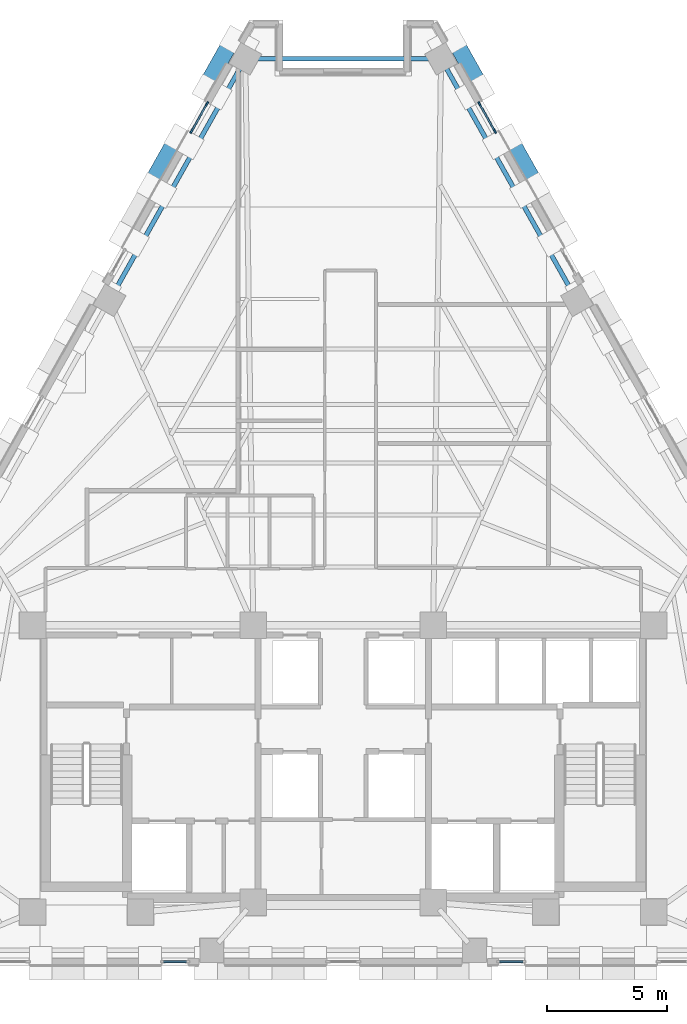
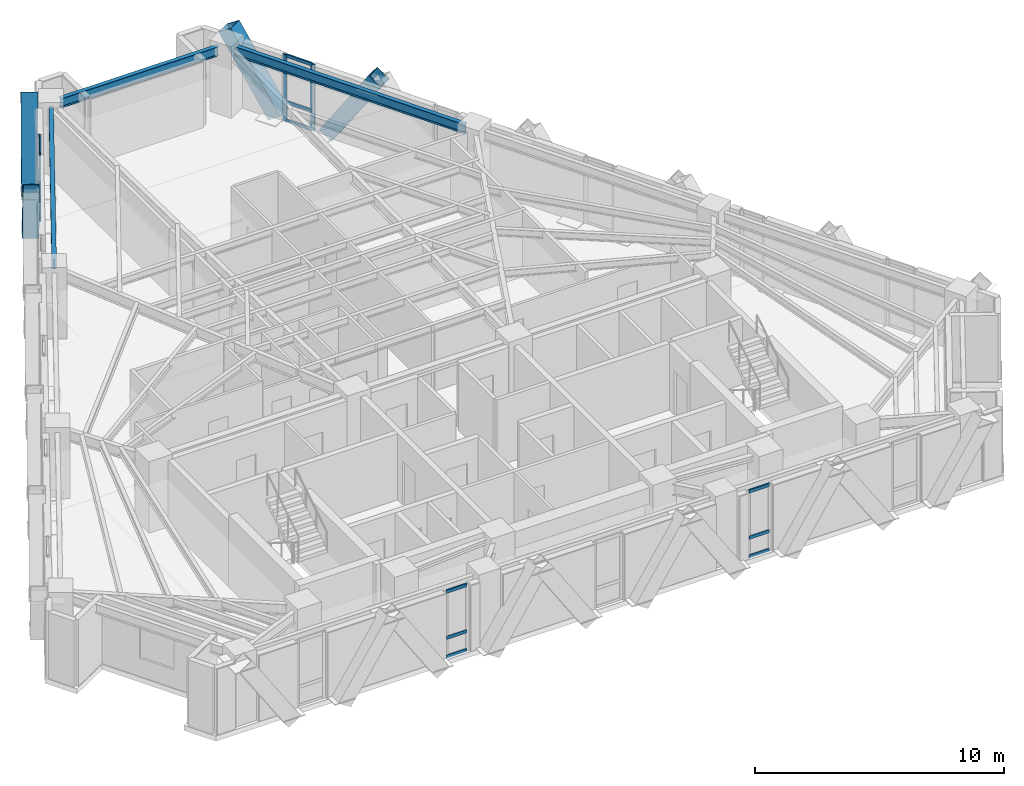
# One storey, part 5 of 13: 20 members, 3 beams, 4 elements without a shape of their own.
"""IFC4 building model written with IfcOpenShell, lengths in metres."""

from ifc_helpers import new_model, si_unit, direction, frame, origin, origin_2d, place, context, subcontext, project, spatial, rectangle, hollow_rectangle, i_section, extrude, material, material_profile, profile_set, type_object, element, aggregate, save


model = new_model("IFC4")

# Units and contexts
model_context = context("Model", 3, precision=1e-05, world=origin(), true_north=direction((0.0, 1.0)))
body_context = subcontext(model_context, "Body", "Model", "MODEL_VIEW")
ifc_project = project(units=[si_unit("LENGTHUNIT", "METRE"), si_unit("AREAUNIT", "SQUARE_METRE"), si_unit("VOLUMEUNIT", "CUBIC_METRE"), si_unit("PLANEANGLEUNIT", "RADIAN"), si_unit("MASSUNIT", "GRAM", prefix="KILO")], contexts=[model_context])

# Site, building, storey
site_placement = place(None, origin())
site = spatial("IfcSite", under=ifc_project, at=site_placement, CompositionType="ELEMENT")
building_placement = place(site_placement, origin())
building = spatial("IfcBuilding", under=site, at=building_placement, Name="Quenlor Broadcast Tower", CompositionType="ELEMENT")
storey_placement = place(building_placement, frame((0.0, 0.0, 147.5)))
storey = spatial("IfcBuildingStorey", under=building, at=storey_placement, Name="L40", CompositionType="ELEMENT", Elevation=147.5)

# Curtain wall, members
ifc_material_1 = material(Name="Architectural Terracotta and Low-E Glazing", Category="masonry")
curtain_wall_type = type_object("IfcCurtainWallType", Name="Unitised Terracotta Curtain Wall System Z3", PredefinedType="NOTDEFINED", material=ifc_material_1)
curtain_wall_1_placement = place(storey_placement, origin())
curtain_wall_1 = element("IfcCurtainWall", 1, at=curtain_wall_1_placement, inside=storey, type_object=curtain_wall_type, Name="L40 Curtain Wall CW3 (L40-NEA-G1)", PredefinedType="NOTDEFINED")
ifc_material_2 = material(Name="Aluminium 6063-T6", Category="aluminium")
ifc_material_profile_1 = material_profile(ifc_material_2, rectangle(XDim=0.070068359375, YDim=0.18994140625, at=origin_2d()))
ifc_profile_set_1 = profile_set([ifc_material_profile_1], Name="Aluminium 6063-T6 MULL70x190")
member_type_1 = type_object("IfcMemberType", Name="CW3 Aluminium Mullion MULL_CW3", PredefinedType="MULLION", material=ifc_profile_set_1)
member_1_placement = place(storey_placement, frame((5.677978515625, 16.94921875, 0.0), z_axis=(0.0, 0.0, 1.0), x_axis=(0.871592831439, 0.490230492916, 0.0)))
member_1 = element("IfcMember", 2, at=member_1_placement, type_object=member_type_1, Name="CW3 mullion 1", PredefinedType="MULLION", context=body_context, shape_type="SweptSolid", body=[
    extrude(rectangle(XDim=0.070068359375, YDim=0.18994140625, at=origin_2d()), origin(), (0.0, 0.0, 1.0), 3.25),
])
member_2_placement = place(storey_placement, frame((6.324951171875, 15.798828125, 0.0), z_axis=(0.0, 0.0, 1.0), x_axis=(0.871592831439, 0.490230492916, 0.0)))
member_2 = element("IfcMember", 3, at=member_2_placement, type_object=member_type_1, Name="CW3 mullion 2", PredefinedType="MULLION", context=body_context, shape_type="SweptSolid", body=[
    extrude(rectangle(XDim=0.070068359375, YDim=0.18994140625, at=origin_2d()), origin(), (0.0, 0.0, 1.0), 3.25),
])

curtain_wall_2_placement = place(storey_placement, origin())
curtain_wall_2 = element("IfcCurtainWall", 4, at=curtain_wall_2_placement, inside=storey, type_object=curtain_wall_type, Name="L40 Curtain Wall CW3 (L40-NWC-G2)", PredefinedType="NOTDEFINED")
member_3_placement = place(storey_placement, frame((-6.324951171875, 15.798828125, 0.0), z_axis=(0.0, 0.0, 1.0), x_axis=(-0.871592831439, 0.490230492916, 0.0)))
member_3 = element("IfcMember", 5, at=member_3_placement, type_object=member_type_1, Name="CW3 mullion 1", PredefinedType="MULLION", context=body_context, shape_type="SweptSolid", body=[
    extrude(rectangle(XDim=0.070068359375, YDim=0.18994140625, at=origin_2d()), origin(), (0.0, 0.0, 1.0), 3.25),
])
member_4_placement = place(storey_placement, frame((-5.677978515625, 16.94921875, 0.0), z_axis=(0.0, 0.0, 1.0), x_axis=(-0.871592831439, 0.490230492916, 0.0)))
member_4 = element("IfcMember", 6, at=member_4_placement, type_object=member_type_1, Name="CW3 mullion 2", PredefinedType="MULLION", context=body_context, shape_type="SweptSolid", body=[
    extrude(rectangle(XDim=0.070068359375, YDim=0.18994140625, at=origin_2d()), origin(), (0.0, 0.0, 1.0), 3.25),
])

curtain_wall_3_placement = place(storey_placement, origin())
curtain_wall_3 = element("IfcCurtainWall", 7, at=curtain_wall_3_placement, inside=storey, type_object=curtain_wall_type, Name="L40 Curtain Wall CW3 (L40-SA-G2)", PredefinedType="NOTDEFINED")
ifc_material_3 = material(Name="Aluminium 6063-T6", Category="aluminium")
ifc_material_profile_2 = material_profile(ifc_material_3, rectangle(XDim=0.070068359375, YDim=0.155029296875, at=origin_2d()))
ifc_profile_set_2 = profile_set([ifc_material_profile_2], Name="Aluminium 6063-T6 TRAN70x155")
member_type_2 = type_object("IfcMemberType", Name="CW3 Aluminium Transom TRAN_CW3", PredefinedType="USERDEFINED", material=ifc_profile_set_2)
member_5_placement = place(storey_placement, frame((7.487060546875, -18.824951171875, 0.034912109375), z_axis=(-1.0, 0.0, 0.0), x_axis=(0.0, -1.0, 0.0)))
member_5 = element("IfcMember", 8, at=member_5_placement, type_object=member_type_2, Name="CW3 transom 1.1", ObjectType="TRANSOM", PredefinedType="USERDEFINED", context=body_context, shape_type="SweptSolid", body=[
    extrude(rectangle(XDim=0.070068359375, YDim=0.155029296875, at=origin_2d()), origin(), (0.0, 0.0, 1.0), 0.951171875),
])
member_6_placement = place(storey_placement, frame((7.487060546875, -18.824951171875, 0.949951171875), z_axis=(-1.0, 0.0, 0.0), x_axis=(0.0, -1.0, 0.0)))
member_6 = element("IfcMember", 9, at=member_6_placement, type_object=member_type_2, Name="CW3 transom 1.2", ObjectType="TRANSOM", PredefinedType="USERDEFINED", context=body_context, shape_type="SweptSolid", body=[
    extrude(rectangle(XDim=0.070068359375, YDim=0.155029296875, at=origin_2d()), origin(), (0.0, 0.0, 1.0), 0.951171875),
])
member_7_placement = place(storey_placement, frame((7.487060546875, -18.824951171875, 3.215087890625), z_axis=(-1.0, 0.0, 0.0), x_axis=(0.0, -1.0, 0.0)))
member_7 = element("IfcMember", 10, at=member_7_placement, type_object=member_type_2, Name="CW3 transom 1.3", ObjectType="TRANSOM", PredefinedType="USERDEFINED", context=body_context, shape_type="SweptSolid", body=[
    extrude(rectangle(XDim=0.070068359375, YDim=0.155029296875, at=origin_2d()), origin(), (0.0, 0.0, 1.0), 0.951171875),
])
aggregate(curtain_wall_3, [member_5, member_6, member_7])

curtain_wall_4_placement = place(storey_placement, origin())
curtain_wall_4 = element("IfcCurtainWall", 11, at=curtain_wall_4_placement, inside=storey, type_object=curtain_wall_type, Name="L40 Curtain Wall CW3 (L40-SC-G1)", PredefinedType="NOTDEFINED")
member_8_placement = place(storey_placement, frame((-6.535888671875, -18.824951171875, 0.034912109375), z_axis=(-1.0, 0.0, 0.0), x_axis=(0.0, -1.0, 0.0)))
member_8 = element("IfcMember", 12, at=member_8_placement, type_object=member_type_2, Name="CW3 transom 1.1", ObjectType="TRANSOM", PredefinedType="USERDEFINED", context=body_context, shape_type="SweptSolid", body=[
    extrude(rectangle(XDim=0.070068359375, YDim=0.155029296875, at=origin_2d()), origin(), (0.0, 0.0, 1.0), 0.951171875),
])
member_9_placement = place(storey_placement, frame((-6.535888671875, -18.824951171875, 0.949951171875), z_axis=(-1.0, 0.0, 0.0), x_axis=(0.0, -1.0, 0.0)))
member_9 = element("IfcMember", 13, at=member_9_placement, type_object=member_type_2, Name="CW3 transom 1.2", ObjectType="TRANSOM", PredefinedType="USERDEFINED", context=body_context, shape_type="SweptSolid", body=[
    extrude(rectangle(XDim=0.070068359375, YDim=0.155029296875, at=origin_2d()), origin(), (0.0, 0.0, 1.0), 0.951171875),
])
member_10_placement = place(storey_placement, frame((-6.535888671875, -18.824951171875, 3.215087890625), z_axis=(-1.0, 0.0, 0.0), x_axis=(0.0, -1.0, 0.0)))
member_10 = element("IfcMember", 14, at=member_10_placement, type_object=member_type_2, Name="CW3 transom 1.3", ObjectType="TRANSOM", PredefinedType="USERDEFINED", context=body_context, shape_type="SweptSolid", body=[
    extrude(rectangle(XDim=0.070068359375, YDim=0.155029296875, at=origin_2d()), origin(), (0.0, 0.0, 1.0), 0.951171875),
])
aggregate(curtain_wall_4, [member_8, member_9, member_10])

# Member
member_11_placement = place(storey_placement, frame((5.695068359375, 16.918701171875, 0.034912109375), z_axis=(0.490131387775, -0.871648566062, 0.0), x_axis=(0.871648566062, 0.490131387775, 0.0)))
member_11 = element("IfcMember", 15, at=member_11_placement, type_object=member_type_2, Name="CW3 transom 1.1", ObjectType="TRANSOM", PredefinedType="USERDEFINED", context=body_context, shape_type="SweptSolid", body=[
    extrude(rectangle(XDim=0.070068359375, YDim=0.155029296875, at=origin_2d()), origin(), (0.0, 0.0, 1.0), 1.249755859375),
])

member_12_placement = place(storey_placement, frame((5.695068359375, 16.918701171875, 0.949951171875), z_axis=(0.490131387775, -0.871648566062, 0.0), x_axis=(0.871648566062, 0.490131387775, 0.0)))
member_12 = element("IfcMember", 16, at=member_12_placement, type_object=member_type_2, Name="CW3 transom 1.2", ObjectType="TRANSOM", PredefinedType="USERDEFINED", context=body_context, shape_type="SweptSolid", body=[
    extrude(rectangle(XDim=0.070068359375, YDim=0.155029296875, at=origin_2d()), origin(), (0.0, 0.0, 1.0), 1.249755859375),
])

member_13_placement = place(storey_placement, frame((5.695068359375, 16.918701171875, 3.215087890625), z_axis=(0.490131387775, -0.871648566062, 0.0), x_axis=(0.871648566062, 0.490131387775, 0.0)))
member_13 = element("IfcMember", 17, at=member_13_placement, type_object=member_type_2, Name="CW3 transom 1.3", ObjectType="TRANSOM", PredefinedType="USERDEFINED", context=body_context, shape_type="SweptSolid", body=[
    extrude(rectangle(XDim=0.070068359375, YDim=0.155029296875, at=origin_2d()), origin(), (0.0, 0.0, 1.0), 1.249755859375),
])

aggregate(curtain_wall_1, [member_1, member_2, member_11, member_12, member_13])

member_14_placement = place(storey_placement, frame((-6.3076171875, 15.829345703125, 0.034912109375), z_axis=(0.490131387775, 0.871648566062, 0.0), x_axis=(-0.871648566062, 0.490131387775, 0.0)))
member_14 = element("IfcMember", 18, at=member_14_placement, type_object=member_type_2, Name="CW3 transom 1.1", ObjectType="TRANSOM", PredefinedType="USERDEFINED", context=body_context, shape_type="SweptSolid", body=[
    extrude(rectangle(XDim=0.070068359375, YDim=0.155029296875, at=origin_2d()), origin(), (0.0, 0.0, 1.0), 1.249755859375),
])

member_15_placement = place(storey_placement, frame((-6.3076171875, 15.829345703125, 0.949951171875), z_axis=(0.490131387775, 0.871648566062, 0.0), x_axis=(-0.871648566062, 0.490131387775, 0.0)))
member_15 = element("IfcMember", 19, at=member_15_placement, type_object=member_type_2, Name="CW3 transom 1.2", ObjectType="TRANSOM", PredefinedType="USERDEFINED", context=body_context, shape_type="SweptSolid", body=[
    extrude(rectangle(XDim=0.070068359375, YDim=0.155029296875, at=origin_2d()), origin(), (0.0, 0.0, 1.0), 1.249755859375),
])

member_16_placement = place(storey_placement, frame((-6.3076171875, 15.829345703125, 3.215087890625), z_axis=(0.490131387775, 0.871648566062, 0.0), x_axis=(-0.871648566062, 0.490131387775, 0.0)))
member_16 = element("IfcMember", 20, at=member_16_placement, type_object=member_type_2, Name="CW3 transom 1.3", ObjectType="TRANSOM", PredefinedType="USERDEFINED", context=body_context, shape_type="SweptSolid", body=[
    extrude(rectangle(XDim=0.070068359375, YDim=0.155029296875, at=origin_2d()), origin(), (0.0, 0.0, 1.0), 1.249755859375),
])

aggregate(curtain_wall_2, [member_3, member_4, member_14, member_15, member_16])

# Members
ifc_material_4 = material(Name="Steel S355", Category="steel")
ifc_material_profile_3 = material_profile(ifc_material_4, hollow_rectangle(XDim=0.679931640625, YDim=0.679931640625, WallThickness=0.02490234375, at=origin_2d()))
ifc_profile_set_3 = profile_set([ifc_material_profile_3], Name="Steel S355 RHS680x680x25")
member_type_3 = type_object("IfcMemberType", Name="Perimeter Diagonal Lattice Brace Z3-Z4 Steel S355 RHS680x25", PredefinedType="BRACE", material=ifc_profile_set_3)
for number, where, z_axis, x_axis, name in (
    (21, (6.92724609375, 15.53369140625, -0.1201171875), (0.2705491942, -0.481008661973, 0.833926735766), (0.871589611547, 0.490236217596, 0.0), "L40 Perimeter Diamond Lattice NE-C1S"),
    (22, (5.763916015625, 17.6015625, -0.1201171875), (-0.2705491942, 0.481008661973, 0.833926735766), (-0.871589611547, -0.490236217596, 0.0), "L40 Perimeter Diamond Lattice NE-C1B"),
    (23, (-5.763916015625, 17.6015625, -0.1201171875), (0.2705491942, 0.481008661973, 0.833926735766), (-0.871589611547, 0.490236217596, 0.0), "L40 Perimeter Diamond Lattice NW-C5S"),
    (24, (-6.92724609375, 15.53369140625, -0.1201171875), (-0.2705491942, -0.481008661973, 0.833926735766), (0.871589611547, -0.490236217596, 0.0), "L40 Perimeter Diamond Lattice NW-C5B"),
):
    element("IfcMember", number, at=place(storey_placement, frame(where, z_axis=z_axis, x_axis=x_axis)), inside=storey, type_object=member_type_3, Name=name, PredefinedType="BRACE", context=body_context, shape_type="SweptSolid", body=[
        extrude(hollow_rectangle(XDim=0.679931640625, YDim=0.679931640625, WallThickness=0.02490234375, at=origin_2d()), origin(), (0.0, 0.0, 1.0), 4.197021484375),
    ])

# Beams
ifc_material_5 = material(Name="Steel S355", Category="steel")
ifc_material_profile_4 = material_profile(ifc_material_5, i_section(OverallWidth=0.19091796875, OverallDepth=0.46044921875, WebThickness=0.010009765625, FlangeThickness=0.01611328125, FilletRadius=0.011474609375, at=origin_2d()))
ifc_profile_set_4 = profile_set([ifc_material_profile_4], Name="Steel S355 460UB82.1")
beam_type = type_object("IfcBeamType", Name="Perimeter Spandrel Beam Z3 Steel S355 460UB82.1", PredefinedType="SPANDREL", material=ifc_profile_set_4)
beam_1_placement = place(storey_placement, frame((9.5419921875, 9.110595703125, 3.019775390625), z_axis=(-0.490257999604, 0.871577359633, 0.0), x_axis=(-0.871577359633, -0.490257999604, 0.0)))
element("IfcBeam", 25, at=beam_1_placement, inside=storey, type_object=beam_type, Name="L40 Spandrel Beam NE3-NE4", PredefinedType="SPANDREL", context=body_context, shape_type="SweptSolid", body=[
    extrude(i_section(OverallWidth=0.19091796875, OverallDepth=0.46044921875, WebThickness=0.010009765625, FlangeThickness=0.01611328125, FilletRadius=0.011474609375, at=origin_2d()), origin(), (0.0, 0.0, 1.0), 10.732666015625),
])
beam_2_placement = place(storey_placement, frame((3.669189453125, 18.822021484375, 3.019775390625), z_axis=(-1.0, 0.0, 0.0), x_axis=(0.0, -1.0, 0.0)))
element("IfcBeam", 26, at=beam_2_placement, inside=storey, type_object=beam_type, Name="L40 Spandrel Beam NE4-NW1", PredefinedType="SPANDREL", context=body_context, shape_type="SweptSolid", body=[
    extrude(i_section(OverallWidth=0.19091796875, OverallDepth=0.46044921875, WebThickness=0.010009765625, FlangeThickness=0.01611328125, FilletRadius=0.011474609375, at=origin_2d()), origin(), (0.0, 0.0, 1.0), 7.33837890625),
])
beam_3_placement = place(storey_placement, frame((-4.2802734375, 18.46484375, 3.019775390625), z_axis=(-0.490257999604, -0.871577359633, 0.0), x_axis=(0.871577359633, -0.490257999604, 0.0)))
element("IfcBeam", 27, at=beam_3_placement, inside=storey, type_object=beam_type, Name="L40 Spandrel Beam NW1-NW2", PredefinedType="SPANDREL", context=body_context, shape_type="SweptSolid", body=[
    extrude(i_section(OverallWidth=0.19091796875, OverallDepth=0.46044921875, WebThickness=0.010009765625, FlangeThickness=0.01611328125, FilletRadius=0.011474609375, at=origin_2d()), origin(), (0.0, 0.0, 1.0), 10.732666015625),
])

save(model, "model.ifc")
